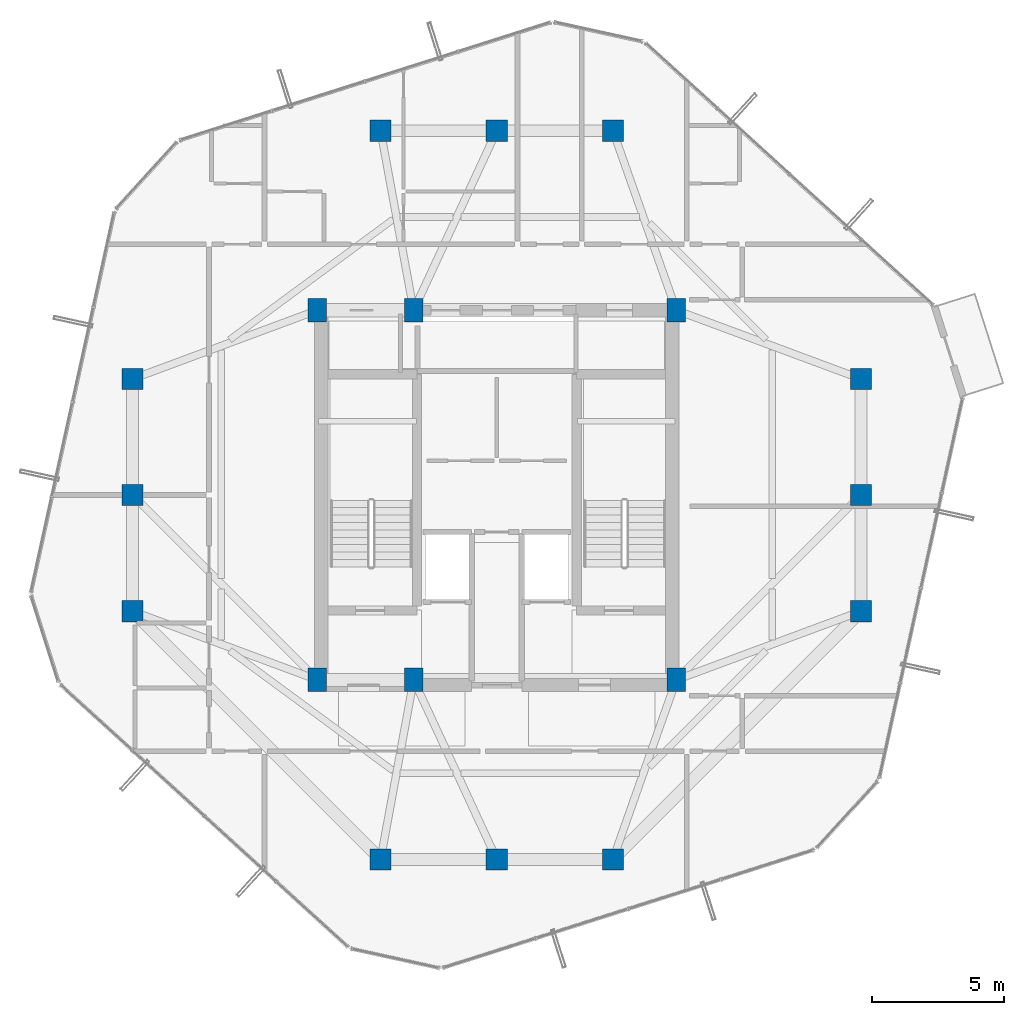
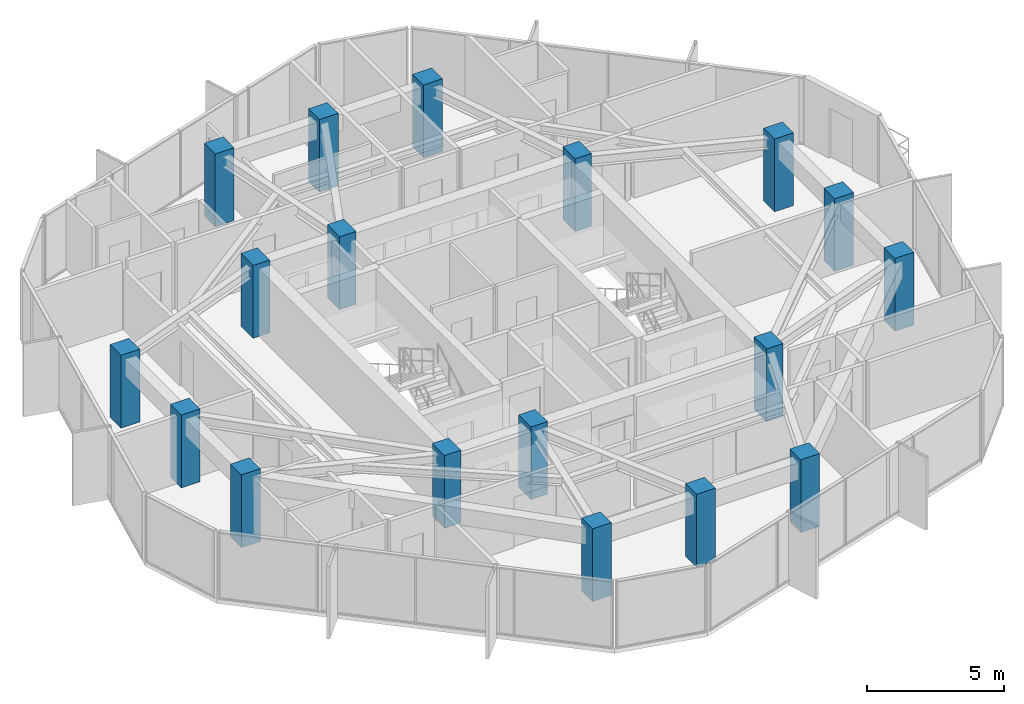
# One storey, part 1 of 28: 18 columns.
"""IFC4 building model written with IfcOpenShell, lengths in metres."""

import ifcopenshell
import ifcopenshell.guid

model = None  # the IFC model being written
_history = None  # IfcOwnerHistory: only IFC2X3 demands one
_inside = {}  # id of a spatial element -> (the spatial element, [elements in it])
_under = {}  # id of a project, library or spatial element -> (it, [spatial elements below it])
_declared = {}  # id of a project -> (the project, [libraries it declares])
_typed = {}  # id of a type object -> (the type object, [elements of that type])
_made_of = {}  # id of a material, layer set ... -> (it, [elements and type objects made of it])


def new_model(schema):
    """Start an empty IFC model of exactly this schema.

    Asked for "IFC4X3", IfcOpenShell would pick the latest addendum, in which some entities
    have other attributes; the version numbers below select the first issue.
    IFC2X3 requires an IfcOwnerHistory on every rooted entity: one is made here for all.
    """
    global model, _history
    if schema == "IFC4X3":
        model = ifcopenshell.file(schema_version=(4, 3, 0, 0))
    else:
        model = ifcopenshell.file(schema=schema)
    _inside.clear()
    _under.clear()
    _declared.clear()
    _typed.clear()
    _made_of.clear()
    _history = None
    if model.schema == "IFC2X3":
        org = make("IfcOrganization", Name="unknown")
        user = make(
            "IfcPersonAndOrganization",
            ThePerson=make("IfcPerson", FamilyName="unknown"),
            TheOrganization=org,
        )
        app = make(
            "IfcApplication",
            ApplicationDeveloper=org,
            Version="unknown",
            ApplicationFullName="unknown",
            ApplicationIdentifier="unknown",
        )
        _history = make(
            "IfcOwnerHistory",
            OwningUser=user,
            OwningApplication=app,
            ChangeAction="ADDED",
            CreationDate=0,
        )
    return model


def make(cls, **values):
    """One entity of the class cls with the attributes given. An attribute that is None is left unset."""
    return model.create_entity(
        cls, **{name: value for name, value in values.items() if value is not None}
    )


def rooted(cls, **values):
    """An entity with a GlobalId (a new one), such as an element, a storey or a relation."""
    return make(cls, GlobalId=ifcopenshell.guid.new(), OwnerHistory=_history, **values)


def si_unit(unit_type, name, prefix=None):
    """IfcSIUnit, for example si_unit("LENGTHUNIT", "METRE", prefix="MILLI")."""
    return make("IfcSIUnit", UnitType=unit_type, Prefix=prefix, Name=name)


def assignment(units):
    """IfcUnitAssignment: the units of a project."""
    return None if units is None else make("IfcUnitAssignment", Units=units)


def point(xyz):
    """IfcCartesianPoint."""
    return None if xyz is None else make("IfcCartesianPoint", Coordinates=xyz)


def direction(xyz):
    """IfcDirection."""
    return None if xyz is None else make("IfcDirection", DirectionRatios=xyz)


def frame(location, z_axis=None, x_axis=None):
    """IfcAxis2Placement3D, a coordinate frame: its origin and axes. An axis left out is left unset."""
    return make(
        "IfcAxis2Placement3D",
        Location=point(location),
        Axis=direction(z_axis),
        RefDirection=direction(x_axis),
    )


def frame_2d(location, x_axis=None):
    """IfcAxis2Placement2D, a coordinate frame in the plane: its origin and x axis."""
    return make(
        "IfcAxis2Placement2D", Location=point(location), RefDirection=direction(x_axis)
    )


def origin():
    """The frame at (0, 0, 0) with its axes left unset."""
    return frame((0.0, 0.0, 0.0))


def origin_2d():
    """The frame at (0, 0) in the plane with its x axis left unset."""
    return frame_2d((0.0, 0.0))


def place(relative_to, where):
    """IfcLocalPlacement: puts the frame where relative to a parent placement (None: the world)."""
    return make(
        "IfcLocalPlacement", PlacementRelTo=relative_to, RelativePlacement=where
    )


def context(
    kind, dimensions, precision=None, world=None, true_north=None, identifier=None
):
    """IfcGeometricRepresentationContext, for example the 3D "Model" context."""
    return make(
        "IfcGeometricRepresentationContext",
        ContextIdentifier=identifier,
        ContextType=kind,
        CoordinateSpaceDimension=dimensions,
        Precision=precision,
        WorldCoordinateSystem=world,
        TrueNorth=true_north,
    )


def subcontext(parent, identifier, kind, view, scale=None):
    """IfcGeometricRepresentationSubContext, for example "Body" below "Model"."""
    return make(
        "IfcGeometricRepresentationSubContext",
        ContextIdentifier=identifier,
        ContextType=kind,
        ParentContext=parent,
        TargetScale=scale,
        TargetView=view,
    )


def project(units=None, contexts=None):
    """IfcProject with its units and contexts."""
    return rooted(
        "IfcProject",
        Name="project",
        RepresentationContexts=contexts,
        UnitsInContext=assignment(units),
    )


def spatial(cls, under=None, at=None, **own):
    """A site, building, storey or space (cls), placed at a placement, below another one or the project."""
    s = rooted(cls, ObjectPlacement=at, **own)
    if under is not None:
        _under.setdefault(under.id(), (under, []))[1].append(s)
    return s


def profile(cls, at=None, kind="AREA", **sizes):
    """A parametric profile (cls). Its sizes go by their IFC names, for example OverallWidth=200.0."""
    return make(cls, ProfileType=kind, Position=at, **sizes)


def rectangle(**sizes):
    """IfcRectangleProfileDef."""
    return profile("IfcRectangleProfileDef", **sizes)


def extrude(swept, where, along, depth):
    """IfcExtrudedAreaSolid: the profile swept, set in the frame where, extruded along a direction by depth."""
    return make(
        "IfcExtrudedAreaSolid",
        SweptArea=swept,
        Position=where,
        ExtrudedDirection=direction(along),
        Depth=depth,
    )


def shape(context_of_items, identifier, shape_type, items):
    """IfcShapeRepresentation: the items that make up one representation, for example the "Body"."""
    return make(
        "IfcShapeRepresentation",
        ContextOfItems=context_of_items,
        RepresentationIdentifier=identifier,
        RepresentationType=shape_type,
        Items=items,
    )


def material(Name=None, Category=None):
    """IfcMaterial."""
    return make("IfcMaterial", Name=Name, Category=Category)


def material_profile(
    of_material, cross_section, Name=None, Category=None, Priority=None
):
    """IfcMaterialProfile: a cross section and its material."""
    return make(
        "IfcMaterialProfile",
        Name=Name,
        Material=of_material,
        Profile=cross_section,
        Priority=Priority,
        Category=Category,
    )


def profile_set(profiles, Name=None, composite=None):
    """IfcMaterialProfileSet."""
    return make(
        "IfcMaterialProfileSet",
        Name=Name,
        MaterialProfiles=profiles,
        CompositeProfile=composite,
    )


def made_of(thing, what):
    """Note that an element or type object is made of a material, layer set ...; save() writes the relation."""
    if what is not None:
        _made_of.setdefault(what.id(), (what, []))[1].append(thing)
    return thing


def type_object(cls, material=None, **own):
    """A type object (cls), such as IfcWallType, which elements share."""
    return made_of(rooted(cls, **own), material)


def element(
    cls,
    number,
    at=None,
    inside=None,
    cuts=None,
    type_object=None,
    material=None,
    context=None,
    identifier="Body",
    shape_type=None,
    held_by="IfcProductDefinitionShape",
    body=None,
    shapes=None,
    **own,
):
    """One element of the class cls, such as IfcWall. Its Tag is "e" and its number.

    at: its placement. inside: the storey or other place that contains it. cuts: it is an
    opening in that element (IfcRelVoidsElement). A single representation is given by context,
    identifier, shape_type and body (its items); several are given by shapes. held_by: the class
    of the entity that holds the representations. save() writes the other relations.
    """
    e = rooted(cls, Tag="e%d" % number, ObjectPlacement=at, **own)
    if body is not None:
        shapes = [shape(context, identifier, shape_type, body)]
    if shapes is not None:
        e.Representation = make(held_by, Representations=shapes)
    if inside is not None:
        _inside.setdefault(inside.id(), (inside, []))[1].append(e)
    if cuts is not None:
        rooted(
            "IfcRelVoidsElement", RelatingBuildingElement=cuts, RelatedOpeningElement=e
        )
    if type_object is not None:
        _typed.setdefault(type_object.id(), (type_object, []))[1].append(e)
    return made_of(e, material)


def aggregate(whole, parts):
    """IfcRelAggregates: a whole, such as a stair, and the parts it consists of."""
    return rooted("IfcRelAggregates", RelatingObject=whole, RelatedObjects=parts)


def save(model, path):
    """Write the relations noted so far, then the file.

    IfcRelAggregates (storeys below a building ...), IfcRelContainedInSpatialStructure (elements
    in a storey), IfcRelDefinesByType, IfcRelAssociatesMaterial and IfcRelDeclares: one each for
    every whole, place, type object, material and project.
    """
    for whole, parts in _under.values():
        aggregate(whole, parts)
    for where, things in _inside.values():
        rooted(
            "IfcRelContainedInSpatialStructure",
            RelatedElements=things,
            RelatingStructure=where,
        )
    for kind, things in _typed.values():
        rooted("IfcRelDefinesByType", RelatedObjects=things, RelatingType=kind)
    for what, things in _made_of.values():
        rooted("IfcRelAssociatesMaterial", RelatedObjects=things, RelatingMaterial=what)
    for by, libraries in _declared.values():
        rooted("IfcRelDeclares", RelatingContext=by, RelatedDefinitions=libraries)
    model.write(path)


model = new_model("IFC4")

# Units and contexts
model_context = context("Model", 3, precision=1e-05, world=origin(), true_north=direction((0.0, 1.0)))
body_context = subcontext(model_context, "Body", "Model", "MODEL_VIEW")
ifc_project = project(units=[si_unit("LENGTHUNIT", "METRE"), si_unit("AREAUNIT", "SQUARE_METRE"), si_unit("VOLUMEUNIT", "CUBIC_METRE"), si_unit("PLANEANGLEUNIT", "RADIAN"), si_unit("MASSUNIT", "GRAM", prefix="KILO")], contexts=[model_context])

# Site, building, storey
site_placement = place(None, origin())
site = spatial("IfcSite", under=ifc_project, at=site_placement, CompositionType="ELEMENT")
building_placement = place(site_placement, origin())
building = spatial("IfcBuilding", under=site, at=building_placement, Name="Veraguas Prism Commons", CompositionType="ELEMENT")
storey_placement = place(building_placement, frame((0.0, 0.0, 251.25)))
storey = spatial("IfcBuildingStorey", under=building, at=storey_placement, Name="L71", CompositionType="ELEMENT", Elevation=251.25)

# Columns
ifc_material = material(Name="Concrete C50/60", Category="concrete")
ifc_material_profile_1 = material_profile(ifc_material, rectangle(XDim=0.800048828125, YDim=0.800048828125, at=origin_2d()), Name="RC800X800")
ifc_profile_set_1 = profile_set([ifc_material_profile_1], Name="Concrete C50/60")
column_type_1 = type_object("IfcColumnType", Name="Column Tube Z4 RC 800x800", PredefinedType="COLUMN", material=ifc_profile_set_1)
for number, where, z_axis, x_axis, name in (
    (1, (37.800048828125, 19.60009765625, 0.0), (0.0, 0.0, 1.0), (1.0, 0.0, 0.0), "Tower Perimeter Column L71-TB01"),
    (2, (37.800048828125, 24.0, 0.0), (0.0, 0.0, 1.0), (1.0, 0.0, 0.0), "Tower Perimeter Column L71-TB02"),
    (3, (37.800048828125, 28.39990234375, 0.0), (0.0, 0.0, 1.0), (1.0, 0.0, 0.0), "Tower Perimeter Column L71-TB03"),
    (4, (28.39990234375, 37.800048828125, 0.0), (0.0, 0.0, 1.0), (1.0, 0.0, 0.0), "Tower Perimeter Column L71-TB04"),
    (5, (24.0, 37.800048828125, 0.0), (0.0, 0.0, 1.0), (1.0, 0.0, 0.0), "Tower Perimeter Column L71-TB05"),
    (6, (19.60009765625, 37.800048828125, 0.0), (0.0, 0.0, 1.0), (1.0, 0.0, 0.0), "Tower Perimeter Column L71-TB06"),
    (7, (10.199951171875, 28.39990234375, 0.0), (0.0, 0.0, 1.0), (1.0, 0.0, 0.0), "Tower Perimeter Column L71-TB07"),
    (8, (10.199951171875, 24.0, 0.0), (0.0, 0.0, 1.0), (1.0, 0.0, 0.0), "Tower Perimeter Column L71-TB08"),
    (9, (10.199951171875, 19.60009765625, 0.0), (0.0, 0.0, 1.0), (1.0, 0.0, 0.0), "Tower Perimeter Column L71-TB09"),
    (10, (19.60009765625, 10.199951171875, 0.0), (0.0, 0.0, 1.0), (1.0, 0.0, 0.0), "Tower Perimeter Column L71-TB10"),
    (11, (24.0, 10.199951171875, 0.0), (0.0, 0.0, 1.0), (1.0, 0.0, 0.0), "Tower Perimeter Column L71-TB11"),
    (12, (28.39990234375, 10.199951171875, 0.0), (0.0, 0.0, 1.0), (1.0, 0.0, 0.0), "Tower Perimeter Column L71-TB12"),
):
    element("IfcColumn", number, at=place(storey_placement, frame(where, z_axis=z_axis, x_axis=x_axis)), inside=storey, type_object=column_type_1, Name=name, PredefinedType="COLUMN", context=body_context, shape_type="SweptSolid", body=[
        extrude(rectangle(XDim=0.800048828125, YDim=0.800048828125, at=origin_2d()), origin(), (0.0, 0.0, 1.0), 3.25),
    ])
ifc_material_profile_2 = material_profile(ifc_material, rectangle(XDim=0.699951171875, YDim=0.89990234375, at=origin_2d()), Name="RC700X900")
ifc_profile_set_2 = profile_set([ifc_material_profile_2], Name="Concrete C50/60")
column_type_2 = type_object("IfcColumnType", Name="Pilaster Core Upper RC 700x900", PredefinedType="PILASTER", material=ifc_profile_set_2)
for number, where, z_axis, x_axis, name in (
    (13, (17.199951171875, 17.0, 0.0), (0.0, 0.0, 1.0), (1.0, 0.0, 0.0), "Core Pilaster Column L71-CR1"),
    (14, (20.85009765625, 17.0, 0.0), (0.0, 0.0, 1.0), (1.0, 0.0, 0.0), "Core Pilaster Column L71-CR2"),
    (15, (30.800048828125, 17.0, 0.0), (0.0, 0.0, 1.0), (1.0, 0.0, 0.0), "Core Pilaster Column L71-CR3"),
    (16, (17.199951171875, 31.0, 0.0), (0.0, 0.0, 1.0), (1.0, 0.0, 0.0), "Core Pilaster Column L71-CR4"),
    (17, (20.85009765625, 31.0, 0.0), (0.0, 0.0, 1.0), (1.0, 0.0, 0.0), "Core Pilaster Column L71-CR5"),
    (18, (30.800048828125, 31.0, 0.0), (0.0, 0.0, 1.0), (1.0, 0.0, 0.0), "Core Pilaster Column L71-CR6"),
):
    element("IfcColumn", number, at=place(storey_placement, frame(where, z_axis=z_axis, x_axis=x_axis)), inside=storey, type_object=column_type_2, Name=name, PredefinedType="PILASTER", context=body_context, shape_type="SweptSolid", body=[
        extrude(rectangle(XDim=0.699951171875, YDim=0.89990234375, at=origin_2d()), origin(), (0.0, 0.0, 1.0), 3.25),
    ])

save(model, "model.ifc")
